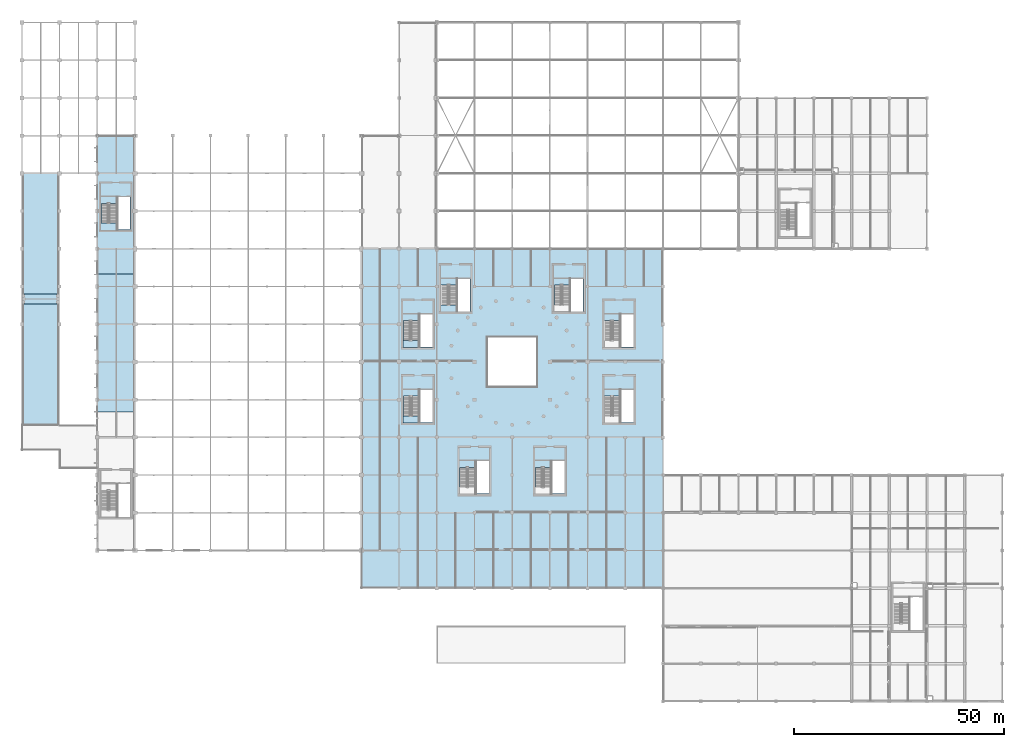
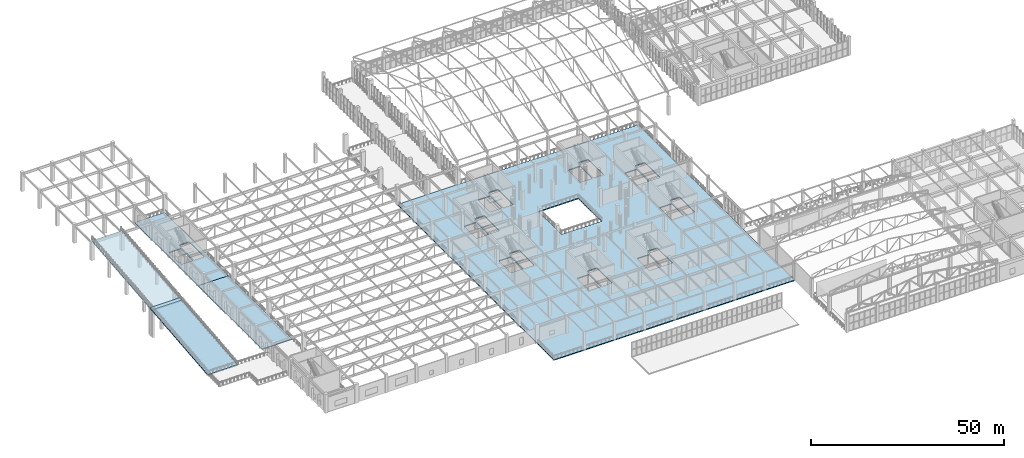
# One storey, part 171 of 223: 10 slabs, 4 elements without a shape of their own.
"""IFC4 building model written with IfcOpenShell, lengths in metres."""

import ifcopenshell
import ifcopenshell.guid

model = None  # the IFC model being written
_history = None  # IfcOwnerHistory: only IFC2X3 demands one
_inside = {}  # id of a spatial element -> (the spatial element, [elements in it])
_under = {}  # id of a project, library or spatial element -> (it, [spatial elements below it])
_declared = {}  # id of a project -> (the project, [libraries it declares])
_typed = {}  # id of a type object -> (the type object, [elements of that type])
_made_of = {}  # id of a material, layer set ... -> (it, [elements and type objects made of it])


def new_model(schema):
    """Start an empty IFC model of exactly this schema.

    Asked for "IFC4X3", IfcOpenShell would pick the latest addendum, in which some entities
    have other attributes; the version numbers below select the first issue.
    IFC2X3 requires an IfcOwnerHistory on every rooted entity: one is made here for all.
    """
    global model, _history
    if schema == "IFC4X3":
        model = ifcopenshell.file(schema_version=(4, 3, 0, 0))
    else:
        model = ifcopenshell.file(schema=schema)
    _inside.clear()
    _under.clear()
    _declared.clear()
    _typed.clear()
    _made_of.clear()
    _history = None
    if model.schema == "IFC2X3":
        org = make("IfcOrganization", Name="unknown")
        user = make(
            "IfcPersonAndOrganization",
            ThePerson=make("IfcPerson", FamilyName="unknown"),
            TheOrganization=org,
        )
        app = make(
            "IfcApplication",
            ApplicationDeveloper=org,
            Version="unknown",
            ApplicationFullName="unknown",
            ApplicationIdentifier="unknown",
        )
        _history = make(
            "IfcOwnerHistory",
            OwningUser=user,
            OwningApplication=app,
            ChangeAction="ADDED",
            CreationDate=0,
        )
    return model


def make(cls, **values):
    """One entity of the class cls with the attributes given. An attribute that is None is left unset."""
    return model.create_entity(
        cls, **{name: value for name, value in values.items() if value is not None}
    )


def rooted(cls, **values):
    """An entity with a GlobalId (a new one), such as an element, a storey or a relation."""
    return make(cls, GlobalId=ifcopenshell.guid.new(), OwnerHistory=_history, **values)


def si_unit(unit_type, name, prefix=None):
    """IfcSIUnit, for example si_unit("LENGTHUNIT", "METRE", prefix="MILLI")."""
    return make("IfcSIUnit", UnitType=unit_type, Prefix=prefix, Name=name)


def assignment(units):
    """IfcUnitAssignment: the units of a project."""
    return None if units is None else make("IfcUnitAssignment", Units=units)


def point(xyz):
    """IfcCartesianPoint."""
    return None if xyz is None else make("IfcCartesianPoint", Coordinates=xyz)


def direction(xyz):
    """IfcDirection."""
    return None if xyz is None else make("IfcDirection", DirectionRatios=xyz)


def frame(location, z_axis=None, x_axis=None):
    """IfcAxis2Placement3D, a coordinate frame: its origin and axes. An axis left out is left unset."""
    return make(
        "IfcAxis2Placement3D",
        Location=point(location),
        Axis=direction(z_axis),
        RefDirection=direction(x_axis),
    )


def origin():
    """The frame at (0, 0, 0) with its axes left unset."""
    return frame((0.0, 0.0, 0.0))


def place(relative_to, where):
    """IfcLocalPlacement: puts the frame where relative to a parent placement (None: the world)."""
    return make(
        "IfcLocalPlacement", PlacementRelTo=relative_to, RelativePlacement=where
    )


def context(
    kind, dimensions, precision=None, world=None, true_north=None, identifier=None
):
    """IfcGeometricRepresentationContext, for example the 3D "Model" context."""
    return make(
        "IfcGeometricRepresentationContext",
        ContextIdentifier=identifier,
        ContextType=kind,
        CoordinateSpaceDimension=dimensions,
        Precision=precision,
        WorldCoordinateSystem=world,
        TrueNorth=true_north,
    )


def subcontext(parent, identifier, kind, view, scale=None):
    """IfcGeometricRepresentationSubContext, for example "Body" below "Model"."""
    return make(
        "IfcGeometricRepresentationSubContext",
        ContextIdentifier=identifier,
        ContextType=kind,
        ParentContext=parent,
        TargetScale=scale,
        TargetView=view,
    )


def project(units=None, contexts=None):
    """IfcProject with its units and contexts."""
    return rooted(
        "IfcProject",
        Name="project",
        RepresentationContexts=contexts,
        UnitsInContext=assignment(units),
    )


def spatial(cls, under=None, at=None, **own):
    """A site, building, storey or space (cls), placed at a placement, below another one or the project."""
    s = rooted(cls, ObjectPlacement=at, **own)
    if under is not None:
        _under.setdefault(under.id(), (under, []))[1].append(s)
    return s


def polyline(points):
    """IfcPolyline through the points."""
    return make("IfcPolyline", Points=[point(p) for p in points])


def outline(outer, holes=None, kind="AREA"):
    """IfcArbitraryClosedProfileDef: a profile drawn as a closed curve; with holes, ...WithVoids."""
    if holes is None:
        return make("IfcArbitraryClosedProfileDef", ProfileType=kind, OuterCurve=outer)
    return make(
        "IfcArbitraryProfileDefWithVoids",
        ProfileType=kind,
        OuterCurve=outer,
        InnerCurves=holes,
    )


def extrude(swept, where, along, depth):
    """IfcExtrudedAreaSolid: the profile swept, set in the frame where, extruded along a direction by depth."""
    return make(
        "IfcExtrudedAreaSolid",
        SweptArea=swept,
        Position=where,
        ExtrudedDirection=direction(along),
        Depth=depth,
    )


def shape(context_of_items, identifier, shape_type, items):
    """IfcShapeRepresentation: the items that make up one representation, for example the "Body"."""
    return make(
        "IfcShapeRepresentation",
        ContextOfItems=context_of_items,
        RepresentationIdentifier=identifier,
        RepresentationType=shape_type,
        Items=items,
    )


def material(Name=None, Category=None):
    """IfcMaterial."""
    return make("IfcMaterial", Name=Name, Category=Category)


def layer(
    of_material, thickness, ventilated=None, Name=None, Category=None, Priority=None
):
    """IfcMaterialLayer: one layer of a wall or slab, of a material (None: an air gap)."""
    return make(
        "IfcMaterialLayer",
        Material=of_material,
        LayerThickness=thickness,
        IsVentilated=ventilated,
        Name=Name,
        Category=Category,
        Priority=Priority,
    )


def layer_set(layers, Name=None):
    """IfcMaterialLayerSet."""
    return make("IfcMaterialLayerSet", MaterialLayers=layers, LayerSetName=Name)


def made_of(thing, what):
    """Note that an element or type object is made of a material, layer set ...; save() writes the relation."""
    if what is not None:
        _made_of.setdefault(what.id(), (what, []))[1].append(thing)
    return thing


def type_object(cls, material=None, **own):
    """A type object (cls), such as IfcWallType, which elements share."""
    return made_of(rooted(cls, **own), material)


def element(
    cls,
    number,
    at=None,
    inside=None,
    cuts=None,
    type_object=None,
    material=None,
    context=None,
    identifier="Body",
    shape_type=None,
    held_by="IfcProductDefinitionShape",
    body=None,
    shapes=None,
    **own,
):
    """One element of the class cls, such as IfcWall. Its Tag is "e" and its number.

    at: its placement. inside: the storey or other place that contains it. cuts: it is an
    opening in that element (IfcRelVoidsElement). A single representation is given by context,
    identifier, shape_type and body (its items); several are given by shapes. held_by: the class
    of the entity that holds the representations. save() writes the other relations.
    """
    e = rooted(cls, Tag="e%d" % number, ObjectPlacement=at, **own)
    if body is not None:
        shapes = [shape(context, identifier, shape_type, body)]
    if shapes is not None:
        e.Representation = make(held_by, Representations=shapes)
    if inside is not None:
        _inside.setdefault(inside.id(), (inside, []))[1].append(e)
    if cuts is not None:
        rooted(
            "IfcRelVoidsElement", RelatingBuildingElement=cuts, RelatedOpeningElement=e
        )
    if type_object is not None:
        _typed.setdefault(type_object.id(), (type_object, []))[1].append(e)
    return made_of(e, material)


def aggregate(whole, parts):
    """IfcRelAggregates: a whole, such as a stair, and the parts it consists of."""
    return rooted("IfcRelAggregates", RelatingObject=whole, RelatedObjects=parts)


def save(model, path):
    """Write the relations noted so far, then the file.

    IfcRelAggregates (storeys below a building ...), IfcRelContainedInSpatialStructure (elements
    in a storey), IfcRelDefinesByType, IfcRelAssociatesMaterial and IfcRelDeclares: one each for
    every whole, place, type object, material and project.
    """
    for whole, parts in _under.values():
        aggregate(whole, parts)
    for where, things in _inside.values():
        rooted(
            "IfcRelContainedInSpatialStructure",
            RelatedElements=things,
            RelatingStructure=where,
        )
    for kind, things in _typed.values():
        rooted("IfcRelDefinesByType", RelatedObjects=things, RelatingType=kind)
    for what, things in _made_of.values():
        rooted("IfcRelAssociatesMaterial", RelatedObjects=things, RelatingMaterial=what)
    for by, libraries in _declared.values():
        rooted("IfcRelDeclares", RelatingContext=by, RelatedDefinitions=libraries)
    model.write(path)


model = new_model("IFC4")

# Units and contexts
model_context = context("Model", 3, precision=1e-05, world=origin(), true_north=direction((0.0, 1.0)))
body_context = subcontext(model_context, "Body", "Model", "MODEL_VIEW")
ifc_project = project(units=[si_unit("LENGTHUNIT", "METRE"), si_unit("AREAUNIT", "SQUARE_METRE"), si_unit("VOLUMEUNIT", "CUBIC_METRE"), si_unit("PLANEANGLEUNIT", "RADIAN"), si_unit("MASSUNIT", "GRAM", prefix="KILO")], contexts=[model_context])

# Site, building, storey
site_placement = place(None, origin())
site = spatial("IfcSite", under=ifc_project, at=site_placement, CompositionType="ELEMENT")
building_placement = place(site_placement, origin())
building = spatial("IfcBuilding", under=site, at=building_placement, Name="Dornveld Trade and Exhibition Forum", CompositionType="ELEMENT")
storey_placement = place(building_placement, frame((0.0, 0.0, 6.0)))
storey = spatial("IfcBuildingStorey", under=building, at=storey_placement, Name="L01", CompositionType="ELEMENT", Elevation=6.0)

# Slabs
ifc_material_1 = material(Name="Precast concrete C50/60", Category="concrete")
ifc_layer_1 = layer(ifc_material_1, 0.300048828125)
ifc_layer_set_1 = layer_set([ifc_layer_1], Name="Precast concrete C50/60")
slab_type_1 = type_object("IfcSlabType", Name="SL-CONC-300", PredefinedType="FLOOR", material=ifc_layer_set_1)
slab_1_placement = place(storey_placement, frame((0.0, 0.0, -0.300048828125)))
element("IfcSlab", 1, at=slab_1_placement, inside=storey, type_object=slab_type_1, Name="L01 structural slab panel 36", PredefinedType="FLOOR", context=body_context, shape_type="SweptSolid", body=[
    extrude(outline(polyline([(18.0, 69.0), (27.0, 69.0), (27.0, 102.0), (18.0, 102.0), (18.0, 69.0)])), origin(), (0.0, 0.0, 1.0), 0.300048828125),
])
slab_2_placement = place(storey_placement, frame((0.0, 0.0, -0.300048828125)))
element("IfcSlab", 2, at=slab_2_placement, inside=storey, type_object=slab_type_1, Name="L01 structural slab panel 37", PredefinedType="FLOOR", context=body_context, shape_type="SweptSolid", body=[
    extrude(outline(polyline([(18.0, 102.0), (27.0, 102.0), (27.0, 135.0), (18.0, 135.0), (18.0, 102.0)]), holes=[polyline([(18.949951171875, 112.550048828125), (22.550048828125, 112.550048828125), (22.550048828125, 118.830078125), (18.949951171875, 118.830078125), (18.949951171875, 112.550048828125)]), polyline([(22.89990234375, 112.550048828125), (25.85009765625, 112.550048828125), (25.85009765625, 120.39990234375), (22.89990234375, 120.39990234375), (22.89990234375, 112.550048828125)])]), origin(), (0.0, 0.0, 1.0), 0.300048828125),
])
slab_3_placement = place(storey_placement, frame((0.0, 0.0, -0.300048828125)))
element("IfcSlab", 3, at=slab_3_placement, inside=storey, type_object=slab_type_1, Name="L01 structural slab panel 41", PredefinedType="FLOOR", context=body_context, shape_type="SweptSolid", body=[
    extrude(outline(polyline([(81.0, 27.0), (153.0, 27.0), (153.0, 108.0), (81.0, 108.0), (81.0, 27.0)]), holes=[polyline([(139.050048828125, 84.550048828125), (142.64990234375, 84.550048828125), (142.64990234375, 90.830078125), (139.050048828125, 90.830078125), (139.050048828125, 84.550048828125)]), polyline([(143.0, 84.550048828125), (145.949951171875, 84.550048828125), (145.949951171875, 92.39990234375), (143.0, 92.39990234375), (143.0, 84.550048828125)]), polyline([(127.050048828125, 93.050048828125), (130.64990234375, 93.050048828125), (130.64990234375, 99.330078125), (127.050048828125, 99.330078125), (127.050048828125, 93.050048828125)]), polyline([(131.0, 93.050048828125), (133.949951171875, 93.050048828125), (133.949951171875, 100.89990234375), (131.0, 100.89990234375), (131.0, 93.050048828125)]), polyline([(100.050048828125, 93.050048828125), (103.64990234375, 93.050048828125), (103.64990234375, 99.330078125), (100.050048828125, 99.330078125), (100.050048828125, 93.050048828125)]), polyline([(104.0, 93.050048828125), (106.949951171875, 93.050048828125), (106.949951171875, 100.89990234375), (104.0, 100.89990234375), (104.0, 93.050048828125)]), polyline([(91.050048828125, 84.550048828125), (94.64990234375, 84.550048828125), (94.64990234375, 90.830078125), (91.050048828125, 90.830078125), (91.050048828125, 84.550048828125)]), polyline([(95.0, 84.550048828125), (97.949951171875, 84.550048828125), (97.949951171875, 92.39990234375), (95.0, 92.39990234375), (95.0, 84.550048828125)]), polyline([(91.050048828125, 66.550048828125), (94.64990234375, 66.550048828125), (94.64990234375, 72.830078125), (91.050048828125, 72.830078125), (91.050048828125, 66.550048828125)]), polyline([(95.0, 66.550048828125), (97.949951171875, 66.550048828125), (97.949951171875, 74.39990234375), (95.0, 74.39990234375), (95.0, 66.550048828125)]), polyline([(104.550048828125, 49.550048828125), (108.14990234375, 49.550048828125), (108.14990234375, 55.830078125), (104.550048828125, 55.830078125), (104.550048828125, 49.550048828125)]), polyline([(108.5, 49.550048828125), (111.449951171875, 49.550048828125), (111.449951171875, 57.39990234375), (108.5, 57.39990234375), (108.5, 49.550048828125)]), polyline([(122.550048828125, 49.550048828125), (126.14990234375, 49.550048828125), (126.14990234375, 55.830078125), (122.550048828125, 55.830078125), (122.550048828125, 49.550048828125)]), polyline([(126.5, 49.550048828125), (129.449951171875, 49.550048828125), (129.449951171875, 57.39990234375), (126.5, 57.39990234375), (126.5, 49.550048828125)]), polyline([(139.050048828125, 66.550048828125), (142.64990234375, 66.550048828125), (142.64990234375, 72.830078125), (139.050048828125, 72.830078125), (139.050048828125, 66.550048828125)]), polyline([(143.0, 66.550048828125), (145.949951171875, 66.550048828125), (145.949951171875, 74.39990234375), (143.0, 74.39990234375), (143.0, 66.550048828125)]), polyline([(111.0, 75.0), (123.0, 75.0), (123.0, 87.0), (111.0, 87.0), (111.0, 75.0)])]), origin(), (0.0, 0.0, 1.0), 0.300048828125),
])

# Stair, slab
ifc_material_2 = material(Name="Concrete C40/50", Category="concrete")
stair_type_1 = type_object("IfcStairType", Name="ST-2RET-600A", PredefinedType="HALF_TURN_STAIR", material=ifc_material_2)
stair_1_placement = place(storey_placement, origin())
stair_1 = element("IfcStair", 4, at=stair_1_placement, inside=storey, type_object=stair_type_1, Name="CORE-03 escape stair L01 to L02", PredefinedType="HALF_TURN_STAIR")
ifc_material_3 = material(Name="Concrete C40/50", Category="concrete")
ifc_layer_2 = layer(ifc_material_3, 0.199951171875)
ifc_layer_set_2 = layer_set([ifc_layer_2], Name="Concrete C40/50")
slab_type_2 = type_object("IfcSlabType", Name="SL-LAND-200", PredefinedType="LANDING", material=ifc_layer_set_2)
slab_4_placement = place(storey_placement, frame((0.0, 0.0, 2.800048828125)))
slab_4 = element("IfcSlab", 5, at=slab_4_placement, type_object=slab_type_2, Name="ST-03-L01 landing 1", PredefinedType="LANDING", context=body_context, shape_type="SweptSolid", body=[
    extrude(outline(polyline([(99.925048828125, 92.925048828125), (103.719970703125, 92.925048828125), (103.719970703125, 94.614990234375), (99.925048828125, 94.614990234375), (99.925048828125, 92.925048828125)])), origin(), (0.0, 0.0, 1.0), 0.199951171875),
])
aggregate(stair_1, [slab_4])

stair_2_placement = place(storey_placement, origin())
stair_2 = element("IfcStair", 6, at=stair_2_placement, inside=storey, type_object=stair_type_1, Name="CORE-05 escape stair L01 to L02", PredefinedType="HALF_TURN_STAIR")
slab_5_placement = place(storey_placement, frame((0.0, 0.0, 2.800048828125)))
slab_5 = element("IfcSlab", 7, at=slab_5_placement, type_object=slab_type_2, Name="ST-05-L01 landing 1", PredefinedType="LANDING", context=body_context, shape_type="SweptSolid", body=[
    extrude(outline(polyline([(90.925048828125, 66.425048828125), (94.719970703125, 66.425048828125), (94.719970703125, 68.114990234375), (90.925048828125, 68.114990234375), (90.925048828125, 66.425048828125)])), origin(), (0.0, 0.0, 1.0), 0.199951171875),
])
aggregate(stair_2, [slab_5])

ifc_material_4 = material(Name="Concrete C40/50", Category="concrete")
stair_type_2 = type_object("IfcStairType", Name="ST-2RET-600B", PredefinedType="HALF_TURN_STAIR", material=ifc_material_4)
stair_3_placement = place(storey_placement, origin())
stair_3 = element("IfcStair", 8, at=stair_3_placement, inside=storey, type_object=stair_type_2, Name="CORE-04 escape stair L01 to L02", PredefinedType="HALF_TURN_STAIR")
ifc_material_5 = material(Name="Concrete C40/50", Category="concrete")
ifc_layer_3 = layer(ifc_material_5, 0.219970703125)
ifc_layer_set_3 = layer_set([ifc_layer_3], Name="Concrete C40/50")
slab_type_3 = type_object("IfcSlabType", Name="SL-LAND-220", PredefinedType="LANDING", material=ifc_layer_set_3)
slab_6_placement = place(storey_placement, frame((0.0, 0.0, 2.780029296875)))
slab_6 = element("IfcSlab", 9, at=slab_6_placement, type_object=slab_type_3, Name="ST-04-L01 landing 1", PredefinedType="LANDING", context=body_context, shape_type="SweptSolid", body=[
    extrude(outline(polyline([(90.925048828125, 84.425048828125), (94.719970703125, 84.425048828125), (94.719970703125, 86.114990234375), (90.925048828125, 86.114990234375), (90.925048828125, 84.425048828125)])), origin(), (0.0, 0.0, 1.0), 0.219970703125),
])
aggregate(stair_3, [slab_6])

stair_4_placement = place(storey_placement, origin())
stair_4 = element("IfcStair", 10, at=stair_4_placement, inside=storey, type_object=stair_type_2, Name="CORE-10 escape stair L01 to L02", PredefinedType="HALF_TURN_STAIR")
slab_7_placement = place(storey_placement, frame((0.0, 0.0, 2.780029296875)))
slab_7 = element("IfcSlab", 11, at=slab_7_placement, type_object=slab_type_3, Name="ST-10-L01 landing 1", PredefinedType="LANDING", context=body_context, shape_type="SweptSolid", body=[
    extrude(outline(polyline([(18.77490234375, 112.375), (22.6201171875, 112.375), (22.6201171875, 114.114990234375), (18.77490234375, 114.114990234375), (18.77490234375, 112.375)])), origin(), (0.0, 0.0, 1.0), 0.219970703125),
])
aggregate(stair_4, [slab_7])

# Slabs
ifc_material_6 = material(Name="Concrete C40/50", Category="concrete")
ifc_layer_4 = layer(ifc_material_6, 0.340087890625)
ifc_layer_set_4 = layer_set([ifc_layer_4], Name="Concrete C40/50")
slab_type_4 = type_object("IfcSlabType", Name="SL-RAMP-340", PredefinedType="FLOOR", material=ifc_layer_set_4)
for number, where, z_axis, x_axis, name in (
    (12, (0.0, 66.0, 0.0), (0.0, -0.099503719021, 0.99503719021), (1.0, 0.0, 0.0), "West 1:10 HGV Truck Ramp Upper Run vehicle ramp structural concrete slab 1"),
    (13, (0.0, 96.0, 3.0), (0.0, -0.099503719021, 0.99503719021), (1.0, 0.0, 0.0), "West 1:10 HGV Truck Ramp Upper Run vehicle ramp structural concrete slab 2"),
):
    element("IfcSlab", number, at=place(storey_placement, frame(where, z_axis=z_axis, x_axis=x_axis)), inside=storey, type_object=slab_type_4, Name=name, PredefinedType="FLOOR", context=body_context, shape_type="SweptSolid", body=[
        extrude(outline(polyline([(0.0, 0.0), (9.0, 0.0), (9.0, 30.14962686336267), (0.0, 30.14962686336267), (0.0, 0.0)])), origin(), (0.0, 0.0, -1.0), 0.340087890625),
    ])
slab_8_placement = place(storey_placement, frame((0.0, 0.0, 2.6201171875)))
element("IfcSlab", 14, at=slab_8_placement, inside=storey, type_object=slab_type_4, Name="Ramp intermediate bearing cap 2", PredefinedType="FLOOR", context=body_context, shape_type="SweptSolid", body=[
    extrude(outline(polyline([(0.0, 94.800048828125), (9.0, 94.800048828125), (9.0, 97.199951171875), (0.0, 97.199951171875), (0.0, 94.800048828125)])), origin(), (0.0, 0.0, 1.0), 0.3798828125),
])

save(model, "model.ifc")
